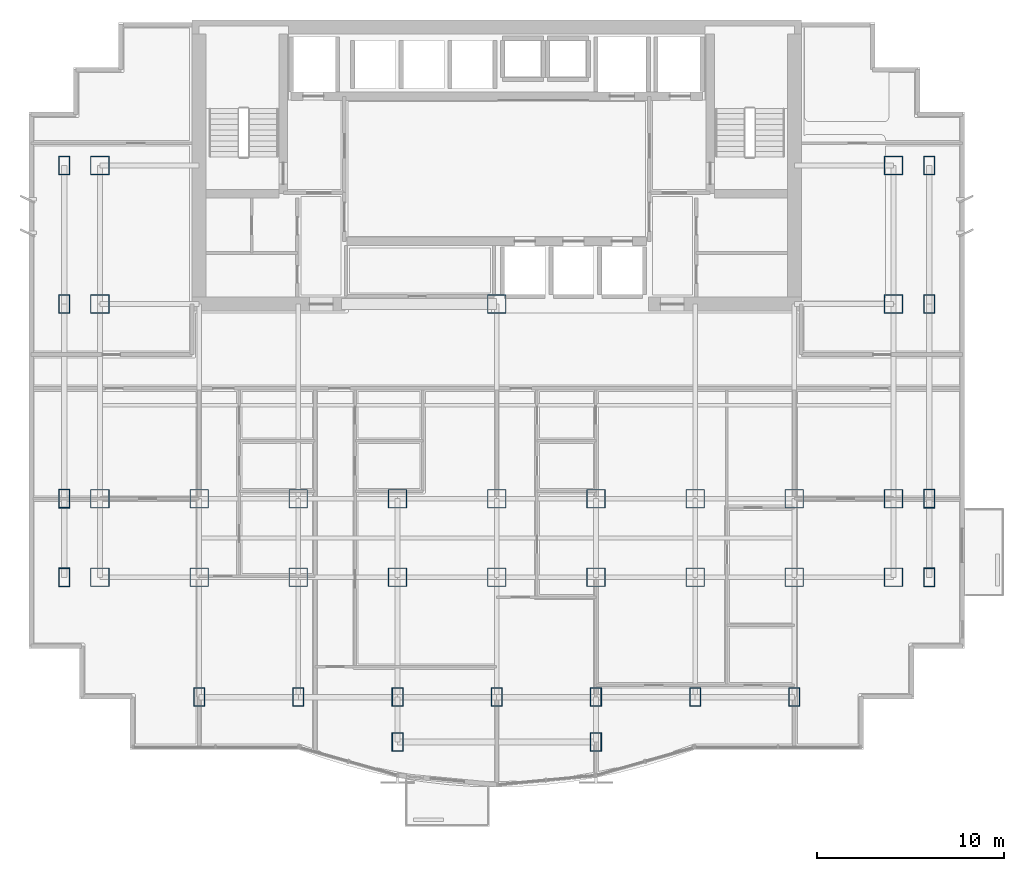
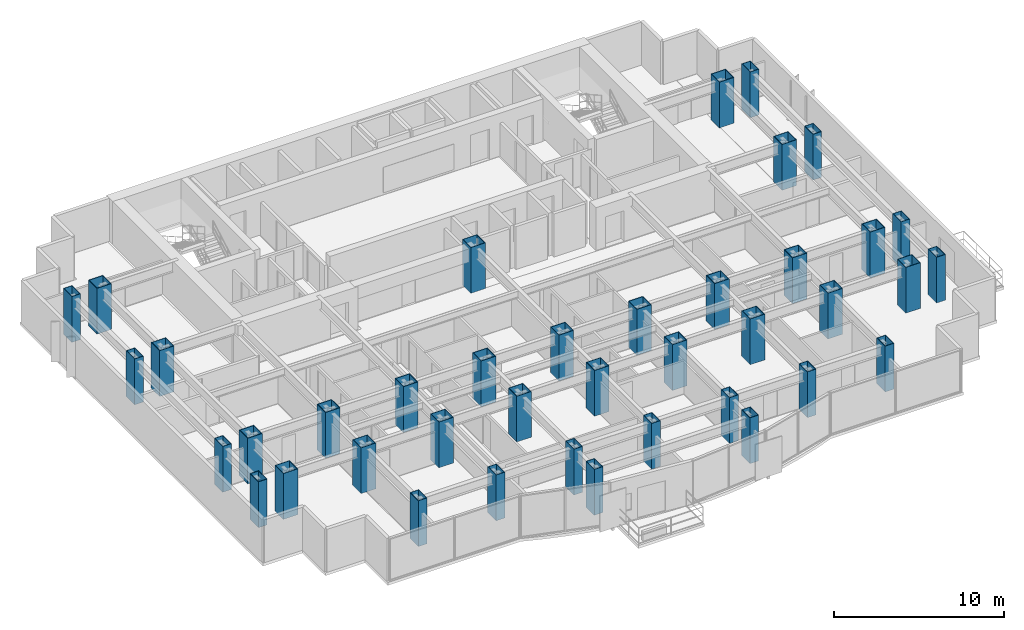
# One storey, part 1 of 10: 40 columns.
"""IFC4 building model written with IfcOpenShell, lengths in metres."""

from ifc_helpers import new_model, si_unit, direction, frame, origin, origin_2d, place, context, subcontext, project, spatial, hollow_rectangle, extrude, material, material_profile, profile_set, type_object, element, save


model = new_model("IFC4")

# Units and contexts
model_context = context("Model", 3, precision=1e-05, world=origin(), true_north=direction((0.0, 1.0)))
body_context = subcontext(model_context, "Body", "Model", "MODEL_VIEW")
ifc_project = project(units=[si_unit("LENGTHUNIT", "METRE"), si_unit("AREAUNIT", "SQUARE_METRE"), si_unit("VOLUMEUNIT", "CUBIC_METRE"), si_unit("PLANEANGLEUNIT", "RADIAN"), si_unit("MASSUNIT", "GRAM", prefix="KILO")], contexts=[model_context])

# Site, building, storey
site_placement = place(None, origin())
site = spatial("IfcSite", under=ifc_project, at=site_placement, CompositionType="ELEMENT")
building_placement = place(site_placement, origin())
building = spatial("IfcBuilding", under=site, at=building_placement, Name="Qianlan Lanfeng Residences", CompositionType="ELEMENT")
storey_placement = place(building_placement, frame((0.0, 0.0, 88.300048828125)))
storey = spatial("IfcBuildingStorey", under=building, at=storey_placement, Name="L23", CompositionType="ELEMENT", Elevation=88.300048828125)

# Columns
ifc_material = material(Name="Steel SN490B", Category="steel")
ifc_material_profile_1 = material_profile(ifc_material, hollow_rectangle(XDim=1.0, YDim=1.0, WallThickness=0.035888671875, at=origin_2d()), Name="BOX 1000x1000x36")
ifc_profile_set_1 = profile_set([ifc_material_profile_1], Name="Steel SN490B")
column_type_1 = type_object("IfcColumnType", Name="C-B1200", PredefinedType="COLUMN", material=ifc_profile_set_1)
for number, where, z_axis, x_axis, name in (
    (1, (26.5, 25.199951171875, 0.0), (0.0, 0.0, 1.0), (1.0, 0.0, 0.0), "L23 Structural Column CP_26.5_25.2"),
    (2, (10.60009765625, 14.800048828125, 0.0), (0.0, 0.0, 1.0), (1.0, 0.0, 0.0), "L23 Structural Column M_10.60_14.80"),
    (3, (10.60009765625, 10.60009765625, 0.0), (0.0, 0.0, 1.0), (1.0, 0.0, 0.0), "L23 Structural Column G_10.60_10.60"),
    (4, (15.89990234375, 14.800048828125, 0.0), (0.0, 0.0, 1.0), (1.0, 0.0, 0.0), "L23 Structural Column M_15.90_14.80"),
    (5, (15.89990234375, 10.60009765625, 0.0), (0.0, 0.0, 1.0), (1.0, 0.0, 0.0), "L23 Structural Column G_15.90_10.60"),
    (6, (21.199951171875, 14.800048828125, 0.0), (0.0, 0.0, 1.0), (1.0, 0.0, 0.0), "L23 Structural Column M_21.20_14.80"),
    (7, (21.199951171875, 10.60009765625, 0.0), (0.0, 0.0, 1.0), (1.0, 0.0, 0.0), "L23 Structural Column G_21.20_10.60"),
    (8, (26.5, 14.800048828125, 0.0), (0.0, 0.0, 1.0), (1.0, 0.0, 0.0), "L23 Structural Column M_26.50_14.80"),
    (9, (26.5, 10.60009765625, 0.0), (0.0, 0.0, 1.0), (1.0, 0.0, 0.0), "L23 Structural Column G_26.50_10.60"),
    (10, (31.800048828125, 14.800048828125, 0.0), (0.0, 0.0, 1.0), (1.0, 0.0, 0.0), "L23 Structural Column M_31.80_14.80"),
    (11, (31.800048828125, 10.60009765625, 0.0), (0.0, 0.0, 1.0), (1.0, 0.0, 0.0), "L23 Structural Column G_31.80_10.60"),
    (12, (37.10009765625, 14.800048828125, 0.0), (0.0, 0.0, 1.0), (1.0, 0.0, 0.0), "L23 Structural Column M_37.10_14.80"),
    (13, (37.10009765625, 10.60009765625, 0.0), (0.0, 0.0, 1.0), (1.0, 0.0, 0.0), "L23 Structural Column G_37.10_10.60"),
    (14, (42.39990234375, 14.800048828125, 0.0), (0.0, 0.0, 1.0), (1.0, 0.0, 0.0), "L23 Structural Column M_42.40_14.80"),
    (15, (42.39990234375, 10.60009765625, 0.0), (0.0, 0.0, 1.0), (1.0, 0.0, 0.0), "L23 Structural Column G_42.40_10.60"),
    (16, (5.300048828125, 10.60009765625, 0.0), (0.0, 0.0, 1.0), (1.0, 0.0, 0.0), "L23 Structural Column W_5.30_10.60"),
    (17, (5.300048828125, 14.800048828125, 0.0), (0.0, 0.0, 1.0), (1.0, 0.0, 0.0), "L23 Structural Column W_5.30_14.80"),
    (18, (5.300048828125, 25.199951171875, 0.0), (0.0, 0.0, 1.0), (1.0, 0.0, 0.0), "L23 Structural Column W_5.30_25.20"),
    (19, (5.300048828125, 32.60009765625, 0.0), (0.0, 0.0, 1.0), (1.0, 0.0, 0.0), "L23 Structural Column W_5.30_32.60"),
    (20, (47.699951171875, 10.60009765625, 0.0), (0.0, 0.0, 1.0), (1.0, 0.0, 0.0), "L23 Structural Column W_47.70_10.60"),
    (21, (47.699951171875, 14.800048828125, 0.0), (0.0, 0.0, 1.0), (1.0, 0.0, 0.0), "L23 Structural Column W_47.70_14.80"),
    (22, (47.699951171875, 25.199951171875, 0.0), (0.0, 0.0, 1.0), (1.0, 0.0, 0.0), "L23 Structural Column W_47.70_25.20"),
    (23, (47.699951171875, 32.60009765625, 0.0), (0.0, 0.0, 1.0), (1.0, 0.0, 0.0), "L23 Structural Column W_47.70_32.60"),
):
    element("IfcColumn", number, at=place(storey_placement, frame(where, z_axis=z_axis, x_axis=x_axis)), inside=storey, type_object=column_type_1, Name=name, PredefinedType="COLUMN", context=body_context, shape_type="SweptSolid", body=[
        extrude(hollow_rectangle(XDim=1.0, YDim=1.0, WallThickness=0.035888671875, at=origin_2d()), origin(), (0.0, 0.0, 1.0), 3.300048828125),
    ])
ifc_material_profile_2 = material_profile(ifc_material, hollow_rectangle(XDim=0.60009765625, YDim=1.0, WallThickness=0.031982421875, at=origin_2d()), Name="BOX 1000x600x32")
ifc_profile_set_2 = profile_set([ifc_material_profile_2], Name="Steel SN490B")
column_type_2 = type_object("IfcColumnType", Name="CE-B1100", PredefinedType="COLUMN", material=ifc_profile_set_2)
for number, where, z_axis, x_axis, name in (
    (24, (21.199951171875, 1.800048828125, 0.0), (0.0, 0.0, 1.0), (1.0, 0.0, 0.0), "L23 Structural Column P_21.20_1.80"),
    (25, (31.800048828125, 1.800048828125, 0.0), (0.0, 0.0, 1.0), (1.0, 0.0, 0.0), "L23 Structural Column P_31.80_1.80"),
    (26, (10.60009765625, 4.199951171875, 0.0), (0.0, 0.0, 1.0), (1.0, 0.0, 0.0), "L23 Structural Column S_10.60_4.20"),
    (27, (15.89990234375, 4.199951171875, 0.0), (0.0, 0.0, 1.0), (1.0, 0.0, 0.0), "L23 Structural Column S_15.90_4.20"),
    (28, (21.199951171875, 4.199951171875, 0.0), (0.0, 0.0, 1.0), (1.0, 0.0, 0.0), "L23 Structural Column S_21.20_4.20"),
    (29, (26.5, 4.199951171875, 0.0), (0.0, 0.0, 1.0), (1.0, 0.0, 0.0), "L23 Structural Column S_26.50_4.20"),
    (30, (31.800048828125, 4.199951171875, 0.0), (0.0, 0.0, 1.0), (1.0, 0.0, 0.0), "L23 Structural Column S_31.80_4.20"),
    (31, (37.10009765625, 4.199951171875, 0.0), (0.0, 0.0, 1.0), (1.0, 0.0, 0.0), "L23 Structural Column S_37.10_4.20"),
    (32, (42.39990234375, 4.199951171875, 0.0), (0.0, 0.0, 1.0), (1.0, 0.0, 0.0), "L23 Structural Column S_42.40_4.20"),
    (33, (3.39990234375, 10.60009765625, 0.0), (0.0, 0.0, 1.0), (1.0, 0.0, 0.0), "L23 Structural Column W_3.40_10.60"),
    (34, (3.39990234375, 14.800048828125, 0.0), (0.0, 0.0, 1.0), (1.0, 0.0, 0.0), "L23 Structural Column W_3.40_14.80"),
    (35, (3.39990234375, 25.199951171875, 0.0), (0.0, 0.0, 1.0), (1.0, 0.0, 0.0), "L23 Structural Column W_3.40_25.20"),
    (36, (3.39990234375, 32.60009765625, 0.0), (0.0, 0.0, 1.0), (1.0, 0.0, 0.0), "L23 Structural Column W_3.40_32.60"),
    (37, (49.60009765625, 10.60009765625, 0.0), (0.0, 0.0, 1.0), (1.0, 0.0, 0.0), "L23 Structural Column W_49.60_10.60"),
    (38, (49.60009765625, 14.800048828125, 0.0), (0.0, 0.0, 1.0), (1.0, 0.0, 0.0), "L23 Structural Column W_49.60_14.80"),
    (39, (49.60009765625, 25.199951171875, 0.0), (0.0, 0.0, 1.0), (1.0, 0.0, 0.0), "L23 Structural Column W_49.60_25.20"),
    (40, (49.60009765625, 32.60009765625, 0.0), (0.0, 0.0, 1.0), (1.0, 0.0, 0.0), "L23 Structural Column W_49.60_32.60"),
):
    element("IfcColumn", number, at=place(storey_placement, frame(where, z_axis=z_axis, x_axis=x_axis)), inside=storey, type_object=column_type_2, Name=name, PredefinedType="COLUMN", context=body_context, shape_type="SweptSolid", body=[
        extrude(hollow_rectangle(XDim=0.60009765625, YDim=1.0, WallThickness=0.031982421875, at=origin_2d()), origin(), (0.0, 0.0, 1.0), 3.300048828125),
    ])

save(model, "model.ifc")
